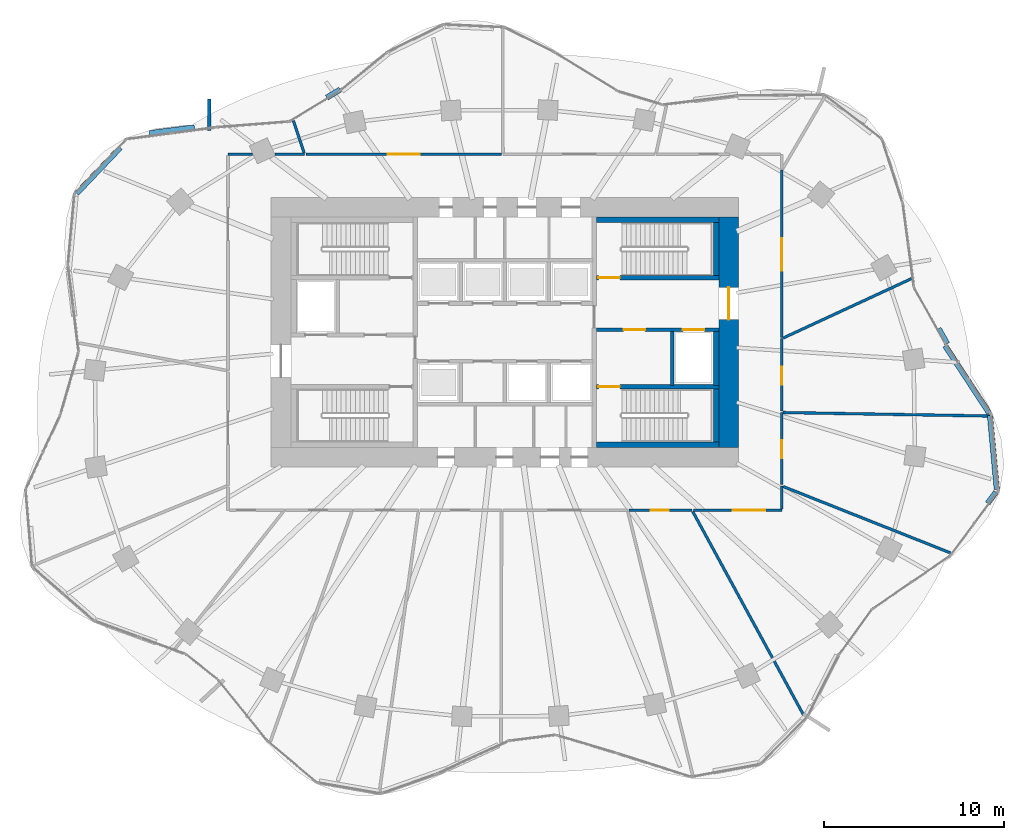
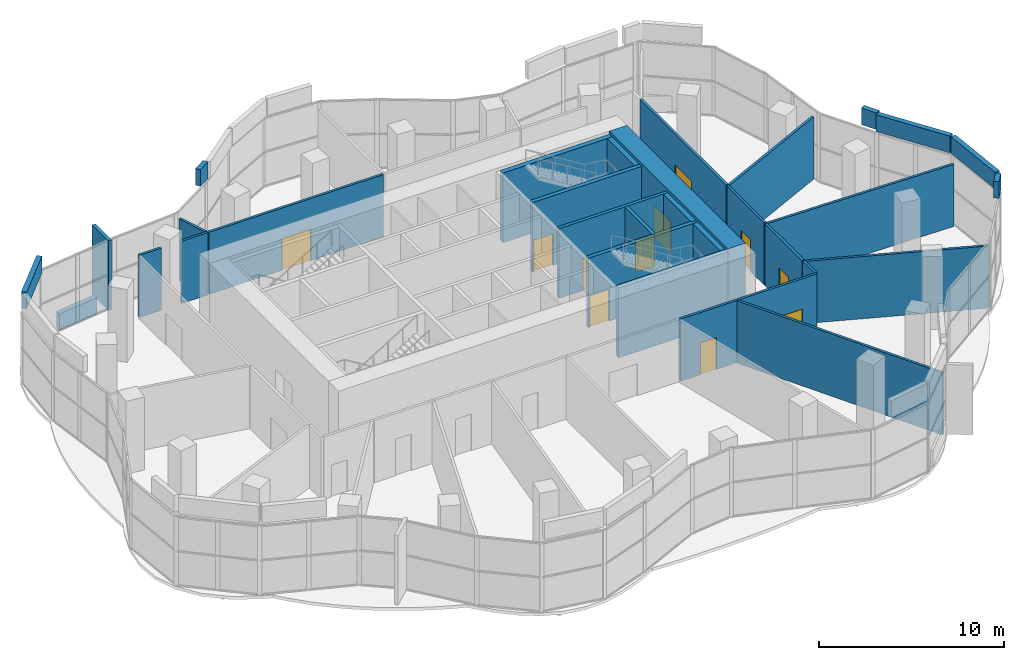
# One storey, part 13 of 16: 32 walls, 11 doors, 11 openings.
"""IFC4 building model written with IfcOpenShell, lengths in metres."""

from ifc_helpers import new_model, si_unit, direction, frame, frame_2d, origin, place, context, subcontext, project, spatial, rectangle, extrude, material, layer, layer_set, type_object, element, fill, save


model = new_model("IFC4")

# Units and contexts
model_context = context("Model", 3, precision=1e-05, world=origin(), true_north=direction((0.0, 1.0)))
body_context = subcontext(model_context, "Body", "Model", "MODEL_VIEW")
ifc_project = project(units=[si_unit("LENGTHUNIT", "METRE"), si_unit("AREAUNIT", "SQUARE_METRE"), si_unit("VOLUMEUNIT", "CUBIC_METRE"), si_unit("PLANEANGLEUNIT", "RADIAN"), si_unit("MASSUNIT", "GRAM", prefix="KILO")], contexts=[model_context])

# Site, building, storey
site_placement = place(None, origin())
site = spatial("IfcSite", under=ifc_project, at=site_placement, CompositionType="ELEMENT")
building_placement = place(site_placement, origin())
building = spatial("IfcBuilding", under=site, at=building_placement, Name="Rubra Terraces Tower", CompositionType="ELEMENT")
storey_placement = place(building_placement, frame((0.0, 0.0, 125.699951171875)))
storey = spatial("IfcBuildingStorey", under=building, at=storey_placement, Name="L30", CompositionType="ELEMENT", Elevation=125.699951171875)

# Walls
ifc_material_1 = material(Name="Brick masonry red-brown", Category="masonry")
ifc_layer_1 = layer(ifc_material_1, 0.300048828125)
ifc_layer_set_1 = layer_set([ifc_layer_1], Name="Brick masonry red-brown")
wall_type_1 = type_object("IfcWallType", Name="Brick edge guard 300", PredefinedType="PARAPET", material=ifc_layer_set_1)
wall_1_placement = place(storey_placement, frame((-19.76171875, 15.572021484375, 0.0), z_axis=(0.0, 0.0, 1.0), x_axis=(0.991935518955, 0.126743545144, 0.0)))
element("IfcWall", 1, at=wall_1_placement, inside=storey, type_object=wall_type_1, Name="Edge guard L30.1", PredefinedType="PARAPET", context=body_context, shape_type="SweptSolid", body=[
    extrude(rectangle(XDim=2.517578125, YDim=0.300048828125, at=frame_2d((1.2587890625, 0.0))), origin(), (0.0, 0.0, 1.0), 1.10009765625),
])
ifc_layer_2 = layer(ifc_material_1, 0.300048828125)
ifc_layer_set_2 = layer_set([ifc_layer_2], Name="Brick masonry red-brown")
wall_type_2 = type_object("IfcWallType", Name="Brick parapet 300", PredefinedType="PARAPET", material=ifc_layer_set_2)
wall_2_placement = place(storey_placement, frame((26.934326171875, 0.005615234375, 4.800048828125), z_axis=(0.0, 0.0, 1.0), x_axis=(-0.547070260179, 0.837086692301, 0.0)))
element("IfcWall", 2, at=wall_2_placement, inside=storey, type_object=wall_type_2, Name="Parapet L30 bay 1", PredefinedType="PARAPET", context=body_context, shape_type="SweptSolid", body=[
    extrude(rectangle(XDim=4.48095703125, YDim=0.300048828125, at=frame_2d((2.240478515625, 0.0))), origin(), (0.0, 0.0, 1.0), 1.10009765625),
])
wall_3_placement = place(storey_placement, frame((24.592041015625, 3.86376953125, 4.800048828125), z_axis=(0.0, 0.0, 1.0), x_axis=(-0.488379082049, 0.872631578742, 0.0)))
element("IfcWall", 3, at=wall_3_placement, inside=storey, type_object=wall_type_2, Name="Parapet L30 bay 2", PredefinedType="PARAPET", context=body_context, shape_type="SweptSolid", body=[
    extrude(rectangle(XDim=0.96142578125, YDim=0.300048828125, at=frame_2d((0.480712890625, 0.0))), origin(), (0.0, 0.0, 1.0), 1.10009765625),
])
wall_4_placement = place(storey_placement, frame((-9.164306640625, 17.9970703125, 4.800048828125), z_axis=(0.0, 0.0, 1.0), x_axis=(-0.854630396294, -0.519236830098, 0.0)))
element("IfcWall", 4, at=wall_4_placement, inside=storey, type_object=wall_type_2, Name="Parapet L30 bay 14", PredefinedType="PARAPET", context=body_context, shape_type="SweptSolid", body=[
    extrude(rectangle(XDim=0.86181640625, YDim=0.300048828125, at=frame_2d((0.430908203125, 0.0))), origin(), (0.0, 0.0, 1.0), 1.10009765625),
])
wall_5_placement = place(storey_placement, frame((-21.388427734375, 14.768798828125, 4.800048828125), z_axis=(0.0, 0.0, 1.0), x_axis=(-0.690144808601, -0.723671294969, 0.0)))
element("IfcWall", 5, at=wall_5_placement, inside=storey, type_object=wall_type_2, Name="Parapet L30 bay 17", PredefinedType="PARAPET", context=body_context, shape_type="SweptSolid", body=[
    extrude(rectangle(XDim=3.510009765625, YDim=0.300048828125, at=frame_2d((1.7548828125, 0.0))), origin(), (0.0, 0.0, 1.0), 1.10009765625),
])
wall_6_placement = place(storey_placement, frame((26.845458984375, -5.01318359375, 4.800048828125), z_axis=(0.0, 0.0, 1.0), x_axis=(0.597500991774, 0.801868171727, 0.0)))
element("IfcWall", 6, at=wall_6_placement, inside=storey, type_object=wall_type_2, Name="Parapet L30 bay 39", PredefinedType="PARAPET", context=body_context, shape_type="SweptSolid", body=[
    extrude(rectangle(XDim=0.782470703125, YDim=0.300048828125, at=frame_2d((0.39111328125, 0.0))), origin(), (0.0, 0.0, 1.0), 1.10009765625),
])
wall_7_placement = place(storey_placement, frame((27.357421875, -4.228515625, 4.800048828125), z_axis=(0.0, 0.0, 1.0), x_axis=(-0.092082019937, 0.99575142561, 0.0)))
element("IfcWall", 7, at=wall_7_placement, inside=storey, type_object=wall_type_2, Name="Parapet L30 bay 40", PredefinedType="PARAPET", context=body_context, shape_type="SweptSolid", body=[
    extrude(rectangle(XDim=4.128173828125, YDim=0.300048828125, at=frame_2d((2.06396484375, 0.0))), origin(), (0.0, 0.0, 1.0), 1.10009765625),
])
ifc_layer_3 = layer(ifc_material_1, 0.199951171875)
ifc_layer_set_3 = layer_set([ifc_layer_3], Name="Brick masonry red-brown")
wall_type_3 = type_object("IfcWallType", Name="Brick wind fin 200", PredefinedType="SOLIDWALL", material=ifc_layer_set_3)
wall_8_placement = place(storey_placement, frame((-16.43505859375, 15.7119140625, 0.0), z_axis=(0.0, 0.0, 1.0), x_axis=(0.000279017846, 0.999999961075, 0.0)))
element("IfcWall", 8, at=wall_8_placement, inside=storey, type_object=wall_type_3, Name="Wind fin L30 8", PredefinedType="SOLIDWALL", context=body_context, shape_type="SweptSolid", body=[
    extrude(rectangle(XDim=1.75, YDim=0.199951171875, at=frame_2d((0.875, 0.0))), origin(), (0.0, 0.0, 1.0), 4.60009765625),
])

# Wall, opening, door
ifc_material_2 = material(Name="Concrete C60", Category="concrete")
ifc_layer_4 = layer(ifc_material_2, 1.10009765625)
ifc_layer_set_4 = layer_set([ifc_layer_4], Name="Concrete C60")
wall_type_4 = type_object("IfcWallType", Name="CORE WALL 1100 C60", PredefinedType="SHEAR", material=ifc_layer_set_4)
wall_9_placement = place(storey_placement, frame((12.449951171875, -1.89990234375, 0.0), z_axis=(0.0, 0.0, 1.0), x_axis=(0.0, 1.0, 0.0)))
wall_9 = element("IfcWall", 9, at=wall_9_placement, inside=storey, type_object=wall_type_4, Name="CORE WALL E L30", PredefinedType="SHEAR", context=body_context, shape_type="SweptSolid", body=[
    extrude(rectangle(XDim=12.7998046875, YDim=1.10009765625, at=frame_2d((6.39990234375, 0.0))), origin(), (0.0, 0.0, 1.0), 4.800048828125),
])
opening_1_placement = place(wall_9_placement, frame((7.10009765625, 0.0, 0.0)))
opening_1 = element("IfcOpeningElement", 10, at=opening_1_placement, cuts=wall_9, Name="Opening L30.C02", PredefinedType="OPENING", context=body_context, shape_type="SweptSolid", body=[
    extrude(rectangle(XDim=1.800048828125, YDim=2.10009765625, at=frame_2d((0.89990234375, 1.050048828125))), frame((0.0, 0.56005859375, 0.0), z_axis=(0.0, -1.0, 0.0), x_axis=(1.0, 0.0, 0.0)), (0.0, 0.0, 1.0), 1.1201171875),
])
ifc_material_3 = material(Name="Painted steel", Category="steel")
door_type_1 = type_object("IfcDoorType", Name="Fire door 1800x2100 double", OperationType="NOTDEFINED", PredefinedType="DOOR", material=ifc_material_3)
door_1_placement = place(opening_1_placement, origin())
door_1 = element("IfcDoor", 11, at=door_1_placement, inside=storey, type_object=door_type_1, Name="Core entrance door FF2", OperationType="DOUBLE_DOOR_SINGLE_SWING", OverallHeight=2.10009765625, OverallWidth=1.800048828125, PredefinedType="DOOR", context=body_context, shape_type="SweptSolid", body=[
    extrude(rectangle(XDim=1.800048828125, YDim=2.10009765625, at=frame_2d((0.89990234375, 1.050048828125))), frame((0.0, 0.02490234375, 0.0), z_axis=(0.0, -1.0, 0.0), x_axis=(1.0, 0.0, 0.0)), (0.0, 0.0, 1.0), 0.050048828125),
])
fill(opening_1, door_1)

# Walls
ifc_material_4 = material(Name="Plasterboard on steel stud, mineral wool infill", Category="steel")
ifc_layer_5 = layer(ifc_material_4, 0.14990234375)
ifc_layer_set_5 = layer_set([ifc_layer_5], Name="Plasterboard on steel stud, mineral wool infill")
wall_type_5 = type_object("IfcWallType", Name="CORRIDOR PARTITION 150", PredefinedType="PARTITIONING", material=ifc_layer_set_5)
wall_10_placement = place(storey_placement, frame((-11.138916015625, 14.39990234375, 0.0), z_axis=(0.0, 0.0, 1.0), x_axis=(-1.0, 0.0, 0.0)))
element("IfcWall", 12, at=wall_10_placement, inside=storey, type_object=wall_type_5, Name="PARTITION", PredefinedType="PARTITIONING", context=body_context, shape_type="SweptSolid", body=[
    extrude(rectangle(XDim=1.632080078125, YDim=0.14990234375, at=frame_2d((0.81591796875, 0.0))), origin(), (0.0, 0.0, 1.0), 4.09814453125),
])
wall_11_placement = place(storey_placement, frame((-14.024169921875, 14.39990234375, 0.0), z_axis=(0.0, 0.0, 1.0), x_axis=(-1.0, 0.0, 0.0)))
element("IfcWall", 13, at=wall_11_placement, inside=storey, type_object=wall_type_5, Name="PARTITION", PredefinedType="PARTITIONING", context=body_context, shape_type="SweptSolid", body=[
    extrude(rectangle(XDim=1.375732421875, YDim=0.14990234375, at=frame_2d((0.68798828125, 0.0))), origin(), (0.0, 0.0, 1.0), 4.09814453125),
])

# Wall, opening, door
wall_12_placement = place(storey_placement, frame((6.89990234375, -5.39990234375, 0.0), z_axis=(0.0, 0.0, 1.0), x_axis=(1.0, 0.0, 0.0)))
wall_12 = element("IfcWall", 14, at=wall_12_placement, inside=storey, type_object=wall_type_5, Name="PARTITION", PredefinedType="PARTITIONING", context=body_context, shape_type="SweptSolid", body=[
    extrude(rectangle(XDim=3.51171875, YDim=0.14990234375, at=frame_2d((1.755859375, 0.0))), origin(), (0.0, 0.0, 1.0), 4.09814453125),
])
opening_2_placement = place(wall_12_placement, frame((1.218017578125, 0.0, 0.0)))
opening_2 = element("IfcOpeningElement", 15, at=opening_2_placement, cuts=wall_12, Name="Opening 30-108", PredefinedType="OPENING", context=body_context, shape_type="SweptSolid", body=[
    extrude(rectangle(XDim=1.0, YDim=2.10009765625, at=frame_2d((0.5, 1.050048828125))), frame((0.0, 0.0849609375, 0.0), z_axis=(0.0, -1.0, 0.0), x_axis=(1.0, 0.0, 0.0)), (0.0, 0.0, 1.0), 0.169921875),
])
ifc_material_5 = material(Name="Painted timber door leaf", Category="wood")
door_type_2 = type_object("IfcDoorType", Name="ROOM DOOR 1000 X 2100", OperationType="SINGLE_SWING_LEFT", PredefinedType="DOOR", material=ifc_material_5)
door_2_placement = place(opening_2_placement, origin())
door_2 = element("IfcDoor", 16, at=door_2_placement, inside=storey, type_object=door_type_2, Name="DOOR 30-108", OperationType="SINGLE_SWING_RIGHT", OverallHeight=2.10009765625, OverallWidth=1.0, PredefinedType="DOOR", context=body_context, shape_type="SweptSolid", body=[
    extrude(rectangle(XDim=1.0, YDim=2.10009765625, at=frame_2d((0.5, 1.050048828125))), frame((0.0, 0.02490234375, 0.0), z_axis=(0.0, -1.0, 0.0), x_axis=(1.0, 0.0, 0.0)), (0.0, 0.0, 1.0), 0.050048828125),
])
fill(opening_2, door_2)

wall_13_placement = place(storey_placement, frame((10.486572265625, -5.39990234375, 0.0), z_axis=(0.0, 0.0, 1.0), x_axis=(1.0, 0.0, 0.0)))
wall_13 = element("IfcWall", 17, at=wall_13_placement, inside=storey, type_object=wall_type_5, Name="PARTITION", PredefinedType="PARTITIONING", context=body_context, shape_type="SweptSolid", body=[
    extrude(rectangle(XDim=4.913330078125, YDim=0.14990234375, at=frame_2d((2.45654296875, 0.0))), origin(), (0.0, 0.0, 1.0), 4.09814453125),
])
opening_3_placement = place(wall_13_placement, frame((2.197021484375, 0.0, 0.0)))
opening_3 = element("IfcOpeningElement", 18, at=opening_3_placement, cuts=wall_13, Name="Opening 30-109", PredefinedType="OPENING", context=body_context, shape_type="SweptSolid", body=[
    extrude(rectangle(XDim=1.800048828125, YDim=2.10009765625, at=frame_2d((0.89990234375, 1.050048828125))), frame((0.0, 0.0849609375, 0.0), z_axis=(0.0, -1.0, 0.0), x_axis=(1.0, 0.0, 0.0)), (0.0, 0.0, 1.0), 0.169921875),
])
ifc_material_6 = material(Name="Painted timber door leaf, double", Category="wood")
door_type_3 = type_object("IfcDoorType", Name="ROOM DOUBLE DOOR 1800 X 2100", OperationType="DOUBLE_DOOR_SINGLE_SWING", PredefinedType="DOOR", material=ifc_material_6)
door_3_placement = place(opening_3_placement, origin())
door_3 = element("IfcDoor", 19, at=door_3_placement, inside=storey, type_object=door_type_3, Name="DOOR 30-109", OperationType="DOUBLE_DOOR_SINGLE_SWING", OverallHeight=2.10009765625, OverallWidth=1.800048828125, PredefinedType="DOOR", context=body_context, shape_type="SweptSolid", body=[
    extrude(rectangle(XDim=1.800048828125, YDim=2.10009765625, at=frame_2d((0.89990234375, 1.050048828125))), frame((0.0, 0.02490234375, 0.0), z_axis=(0.0, -1.0, 0.0), x_axis=(1.0, 0.0, 0.0)), (0.0, 0.0, 1.0), 0.050048828125),
])
fill(opening_3, door_3)

# Wall
wall_14_placement = place(storey_placement, frame((15.39990234375, -5.324951171875, 0.0), z_axis=(0.0, 0.0, 1.0), x_axis=(0.0, 1.0, 0.0)))
element("IfcWall", 20, at=wall_14_placement, inside=storey, type_object=wall_type_5, Name="PARTITION", PredefinedType="PARTITIONING", context=body_context, shape_type="SweptSolid", body=[
    extrude(rectangle(XDim=1.27978515625, YDim=0.14990234375, at=frame_2d((0.639892578125, 0.0))), origin(), (0.0, 0.0, 1.0), 4.09814453125),
])

# Wall, opening, door
wall_15_placement = place(storey_placement, frame((15.39990234375, -3.97021484375, 0.0), z_axis=(0.0, 0.0, 1.0), x_axis=(0.0, 1.0, 0.0)))
wall_15 = element("IfcWall", 21, at=wall_15_placement, inside=storey, type_object=wall_type_5, Name="PARTITION", PredefinedType="PARTITIONING", context=body_context, shape_type="SweptSolid", body=[
    extrude(rectangle(XDim=4.00830078125, YDim=0.14990234375, at=frame_2d((2.004150390625, 0.0))), origin(), (0.0, 0.0, 1.0), 4.09814453125),
])
opening_4_placement = place(wall_15_placement, frame((1.467041015625, 0.0, 0.0)))
opening_4 = element("IfcOpeningElement", 22, at=opening_4_placement, cuts=wall_15, Name="Opening 30-110", PredefinedType="OPENING", context=body_context, shape_type="SweptSolid", body=[
    extrude(rectangle(XDim=1.0, YDim=2.10009765625, at=frame_2d((0.5, 1.050048828125))), frame((0.0, 0.0849609375, 0.0), z_axis=(0.0, -1.0, 0.0), x_axis=(1.0, 0.0, 0.0)), (0.0, 0.0, 1.0), 0.169921875),
])
door_4_placement = place(opening_4_placement, origin())
door_4 = element("IfcDoor", 23, at=door_4_placement, inside=storey, type_object=door_type_2, Name="DOOR 30-110", OperationType="SINGLE_SWING_RIGHT", OverallHeight=2.10009765625, OverallWidth=1.0, PredefinedType="DOOR", context=body_context, shape_type="SweptSolid", body=[
    extrude(rectangle(XDim=1.0, YDim=2.10009765625, at=frame_2d((0.5, 1.050048828125))), frame((0.0, 0.02490234375, 0.0), z_axis=(0.0, -1.0, 0.0), x_axis=(1.0, 0.0, 0.0)), (0.0, 0.0, 1.0), 0.050048828125),
])
fill(opening_4, door_4)

wall_16_placement = place(storey_placement, frame((15.39990234375, 0.113037109375, 0.0), z_axis=(0.0, 0.0, 1.0), x_axis=(0.0, 1.0, 0.0)))
wall_16 = element("IfcWall", 24, at=wall_16_placement, inside=storey, type_object=wall_type_5, Name="PARTITION", PredefinedType="PARTITIONING", context=body_context, shape_type="SweptSolid", body=[
    extrude(rectangle(XDim=4.032470703125, YDim=0.14990234375, at=frame_2d((2.01611328125, 0.0))), origin(), (0.0, 0.0, 1.0), 4.09814453125),
])
opening_5_placement = place(wall_16_placement, frame((1.47900390625, 0.0, 0.0)))
opening_5 = element("IfcOpeningElement", 25, at=opening_5_placement, cuts=wall_16, Name="Opening 30-111", PredefinedType="OPENING", context=body_context, shape_type="SweptSolid", body=[
    extrude(rectangle(XDim=1.0, YDim=2.10009765625, at=frame_2d((0.5, 1.050048828125))), frame((0.0, 0.0849609375, 0.0), z_axis=(0.0, -1.0, 0.0), x_axis=(1.0, 0.0, 0.0)), (0.0, 0.0, 1.0), 0.169921875),
])
door_5_placement = place(opening_5_placement, origin())
door_5 = element("IfcDoor", 26, at=door_5_placement, inside=storey, type_object=door_type_2, Name="DOOR 30-111", OperationType="SINGLE_SWING_RIGHT", OverallHeight=2.10009765625, OverallWidth=1.0, PredefinedType="DOOR", context=body_context, shape_type="SweptSolid", body=[
    extrude(rectangle(XDim=1.0, YDim=2.10009765625, at=frame_2d((0.5, 1.050048828125))), frame((0.0, 0.02490234375, 0.0), z_axis=(0.0, -1.0, 0.0), x_axis=(1.0, 0.0, 0.0)), (0.0, 0.0, 1.0), 0.050048828125),
])
fill(opening_5, door_5)

wall_17_placement = place(storey_placement, frame((15.39990234375, 4.220703125, 0.0), z_axis=(0.0, 0.0, 1.0), x_axis=(0.0, 1.0, 0.0)))
wall_17 = element("IfcWall", 27, at=wall_17_placement, inside=storey, type_object=wall_type_5, Name="PARTITION", PredefinedType="PARTITIONING", context=body_context, shape_type="SweptSolid", body=[
    extrude(rectangle(XDim=9.297119140625, YDim=0.14990234375, at=frame_2d((4.6484375, 0.0))), origin(), (0.0, 0.0, 1.0), 4.09814453125),
])
opening_6_placement = place(wall_17_placement, frame((3.7109375, 0.0, 0.0)))
opening_6 = element("IfcOpeningElement", 28, at=opening_6_placement, cuts=wall_17, Name="Opening 30-112", PredefinedType="OPENING", context=body_context, shape_type="SweptSolid", body=[
    extrude(rectangle(XDim=1.800048828125, YDim=2.10009765625, at=frame_2d((0.89990234375, 1.050048828125))), frame((0.0, 0.0849609375, 0.0), z_axis=(0.0, -1.0, 0.0), x_axis=(1.0, 0.0, 0.0)), (0.0, 0.0, 1.0), 0.169921875),
])
door_6_placement = place(opening_6_placement, origin())
door_6 = element("IfcDoor", 29, at=door_6_placement, inside=storey, type_object=door_type_3, Name="DOOR 30-112", OperationType="DOUBLE_DOOR_SINGLE_SWING", OverallHeight=2.10009765625, OverallWidth=1.800048828125, PredefinedType="DOOR", context=body_context, shape_type="SweptSolid", body=[
    extrude(rectangle(XDim=1.800048828125, YDim=2.10009765625, at=frame_2d((0.89990234375, 1.050048828125))), frame((0.0, 0.02490234375, 0.0), z_axis=(0.0, -1.0, 0.0), x_axis=(1.0, 0.0, 0.0)), (0.0, 0.0, 1.0), 0.050048828125),
])
fill(opening_6, door_6)

wall_18_placement = place(storey_placement, frame((-0.1845703125, 14.39990234375, 0.0), z_axis=(0.0, 0.0, 1.0), x_axis=(-1.0, 0.0, 0.0)))
wall_18 = element("IfcWall", 30, at=wall_18_placement, inside=storey, type_object=wall_type_5, Name="PARTITION", PredefinedType="PARTITIONING", context=body_context, shape_type="SweptSolid", body=[
    extrude(rectangle(XDim=10.87939453125, YDim=0.14990234375, at=frame_2d((5.439697265625, 0.0))), origin(), (0.0, 0.0, 1.0), 4.09814453125),
])
opening_7_placement = place(wall_18_placement, frame((4.5400390625, 0.0, 0.0)))
opening_7 = element("IfcOpeningElement", 31, at=opening_7_placement, cuts=wall_18, Name="Opening 30-115", PredefinedType="OPENING", context=body_context, shape_type="SweptSolid", body=[
    extrude(rectangle(XDim=1.800048828125, YDim=2.10009765625, at=frame_2d((0.89990234375, 1.050048828125))), frame((0.0, 0.0849609375, 0.0), z_axis=(0.0, -1.0, 0.0), x_axis=(1.0, 0.0, 0.0)), (0.0, 0.0, 1.0), 0.169921875),
])
door_7_placement = place(opening_7_placement, origin())
door_7 = element("IfcDoor", 32, at=door_7_placement, inside=storey, type_object=door_type_3, Name="DOOR 30-115", OperationType="DOUBLE_DOOR_SINGLE_SWING", OverallHeight=2.10009765625, OverallWidth=1.800048828125, PredefinedType="DOOR", context=body_context, shape_type="SweptSolid", body=[
    extrude(rectangle(XDim=1.800048828125, YDim=2.10009765625, at=frame_2d((0.89990234375, 1.050048828125))), frame((0.0, 0.02490234375, 0.0), z_axis=(0.0, -1.0, 0.0), x_axis=(1.0, 0.0, 0.0)), (0.0, 0.0, 1.0), 0.050048828125),
])
fill(opening_7, door_7)

# Walls
ifc_material_7 = material(Name="Concrete C40", Category="concrete")
ifc_layer_6 = layer(ifc_material_7, 0.300048828125)
ifc_layer_set_6 = layer_set([ifc_layer_6], Name="Concrete C40")
wall_type_6 = type_object("IfcWallType", Name="Core lining wall 300 concrete", PredefinedType="SOLIDWALL", material=ifc_layer_set_6)
wall_19_placement = place(storey_placement, frame((11.89990234375, 10.75, 0.0), z_axis=(0.0, 0.0, 1.0), x_axis=(-1.0, 0.0, 0.0)))
element("IfcWall", 33, at=wall_19_placement, inside=storey, type_object=wall_type_6, Name="CORE LINING WALL L30", PredefinedType="SOLIDWALL", context=body_context, shape_type="SweptSolid", body=[
    extrude(rectangle(XDim=6.7998046875, YDim=0.300048828125, at=frame_2d((3.39990234375, 0.0))), origin(), (0.0, 0.0, 1.0), 4.60009765625),
])
wall_20_placement = place(storey_placement, frame((11.75, 10.60009765625, 0.0), z_axis=(0.0, 0.0, 1.0), x_axis=(0.0, -1.0, 0.0)))
element("IfcWall", 34, at=wall_20_placement, inside=storey, type_object=wall_type_6, Name="CORE LINING WALL L30", PredefinedType="SOLIDWALL", context=body_context, shape_type="SweptSolid", body=[
    extrude(rectangle(XDim=2.9501953125, YDim=0.300048828125, at=frame_2d((1.47509765625, 0.0))), origin(), (0.0, 0.0, 1.0), 4.60009765625),
])
wall_21_placement = place(storey_placement, frame((11.75, 4.550048828125, 0.0), z_axis=(0.0, 0.0, 1.0), x_axis=(0.0, -1.0, 0.0)))
element("IfcWall", 35, at=wall_21_placement, inside=storey, type_object=wall_type_6, Name="CORE LINING WALL L30", PredefinedType="SOLIDWALL", context=body_context, shape_type="SweptSolid", body=[
    extrude(rectangle(XDim=3.0, YDim=0.300048828125, at=frame_2d((1.5, 0.0))), origin(), (0.0, 0.0, 1.0), 4.60009765625),
])
wall_22_placement = place(storey_placement, frame((11.75, 1.35009765625, 0.0), z_axis=(0.0, 0.0, 1.0), x_axis=(0.0, -1.0, 0.0)))
element("IfcWall", 36, at=wall_22_placement, inside=storey, type_object=wall_type_6, Name="CORE LINING WALL L30", PredefinedType="SOLIDWALL", context=body_context, shape_type="SweptSolid", body=[
    extrude(rectangle(XDim=2.9501953125, YDim=0.300048828125, at=frame_2d((1.47509765625, 0.0))), origin(), (0.0, 0.0, 1.0), 4.60009765625),
])
wall_23_placement = place(storey_placement, frame((11.89990234375, -1.75, 0.0), z_axis=(0.0, 0.0, 1.0), x_axis=(-1.0, 0.0, 0.0)))
element("IfcWall", 37, at=wall_23_placement, inside=storey, type_object=wall_type_6, Name="CORE LINING WALL L30", PredefinedType="SOLIDWALL", context=body_context, shape_type="SweptSolid", body=[
    extrude(rectangle(XDim=6.7998046875, YDim=0.300048828125, at=frame_2d((3.39990234375, 0.0))), origin(), (0.0, 0.0, 1.0), 4.60009765625),
])

# Wall, openings, doors
ifc_material_8 = material(Name="Concrete C30", Category="concrete")
ifc_layer_7 = layer(ifc_material_8, 0.199951171875)
ifc_layer_set_7 = layer_set([ifc_layer_7], Name="Concrete C30")
wall_type_7 = type_object("IfcWallType", Name="Core wall 200 concrete", PredefinedType="SOLIDWALL", material=ifc_layer_set_7)
wall_24_placement = place(storey_placement, frame((11.89990234375, 4.64990234375, 0.0), z_axis=(0.0, 0.0, 1.0), x_axis=(-1.0, 0.0, 0.0)))
wall_24 = element("IfcWall", 38, at=wall_24_placement, inside=storey, type_object=wall_type_7, Name="STAIR WALL L30", PredefinedType="SOLIDWALL", context=body_context, shape_type="SweptSolid", body=[
    extrude(rectangle(XDim=6.7998046875, YDim=0.199951171875, at=frame_2d((3.39990234375, 0.0))), origin(), (0.0, 0.0, 1.0), 4.60009765625),
])
opening_8_placement = place(wall_24_placement, frame((4.10009765625, 0.0, 0.0)))
opening_8 = element("IfcOpeningElement", 39, at=opening_8_placement, cuts=wall_24, Name="Opening L30.C06", PredefinedType="OPENING", context=body_context, shape_type="SweptSolid", body=[
    extrude(rectangle(XDim=1.199951171875, YDim=2.10009765625, at=frame_2d((0.60009765625, 1.050048828125))), frame((0.0, 0.10986328125, 0.0), z_axis=(0.0, -1.0, 0.0), x_axis=(1.0, 0.0, 0.0)), (0.0, 0.0, 1.0), 0.219970703125),
])
opening_9_placement = place(wall_24_placement, frame((0.800048828125, 0.0, 0.0)))
opening_9 = element("IfcOpeningElement", 40, at=opening_9_placement, cuts=wall_24, Name="Opening L30.C12", PredefinedType="OPENING", context=body_context, shape_type="SweptSolid", body=[
    extrude(rectangle(XDim=1.199951171875, YDim=2.10009765625, at=frame_2d((0.60009765625, 1.050048828125))), frame((0.0, 0.10986328125, 0.0), z_axis=(0.0, -1.0, 0.0), x_axis=(1.0, 0.0, 0.0)), (0.0, 0.0, 1.0), 0.219970703125),
])
door_type_4 = type_object("IfcDoorType", Name="Fire door 1200x2100 single", OperationType="NOTDEFINED", PredefinedType="DOOR", material=ifc_material_3)
door_8_placement = place(opening_8_placement, origin())
door_8 = element("IfcDoor", 41, at=door_8_placement, inside=storey, type_object=door_type_4, Name="Stair vestibule door S4", OperationType="SINGLE_SWING_RIGHT", OverallHeight=2.10009765625, OverallWidth=1.199951171875, PredefinedType="DOOR", context=body_context, shape_type="SweptSolid", body=[
    extrude(rectangle(XDim=1.199951171875, YDim=2.10009765625, at=frame_2d((0.60009765625, 1.050048828125))), frame((0.0, 0.02490234375, 0.0), z_axis=(0.0, -1.0, 0.0), x_axis=(1.0, 0.0, 0.0)), (0.0, 0.0, 1.0), 0.050048828125),
])
fill(opening_8, door_8)
ifc_material_9 = material(Name="Stainless steel", Category="steel")
door_type_5 = type_object("IfcDoorType", Name="Lift landing door 1200x2100", OperationType="NOTDEFINED", PredefinedType="DOOR", material=ifc_material_9)
door_9_placement = place(opening_9_placement, origin())
door_9 = element("IfcDoor", 42, at=door_9_placement, inside=storey, type_object=door_type_5, Name="Landing door FF2", OperationType="SLIDING_TO_RIGHT", OverallHeight=2.10009765625, OverallWidth=1.199951171875, PredefinedType="DOOR", context=body_context, shape_type="SweptSolid", body=[
    extrude(rectangle(XDim=1.199951171875, YDim=2.10009765625, at=frame_2d((0.60009765625, 1.050048828125))), frame((0.0, 0.02490234375, 0.0), z_axis=(0.0, -1.0, 0.0), x_axis=(1.0, 0.0, 0.0)), (0.0, 0.0, 1.0), 0.050048828125),
])
fill(opening_9, door_9)

# Walls
wall_25_placement = place(storey_placement, frame((9.300048828125, 4.550048828125, 0.0), z_axis=(0.0, 0.0, 1.0), x_axis=(0.0, -1.0, 0.0)))
element("IfcWall", 43, at=wall_25_placement, inside=storey, type_object=wall_type_7, Name="STAIR WALL L30", PredefinedType="SOLIDWALL", context=body_context, shape_type="SweptSolid", body=[
    extrude(rectangle(XDim=3.0, YDim=0.199951171875, at=frame_2d((1.5, 0.0))), origin(), (0.0, 0.0, 1.0), 4.60009765625),
])
ifc_material_10 = material(Name="Plasterboard on steel stud", Category="steel")
ifc_layer_8 = layer(ifc_material_10, 0.14990234375)
ifc_layer_set_8 = layer_set([ifc_layer_8], Name="Plasterboard on steel stud")
wall_type_8 = type_object("IfcWallType", Name="ROOM PARTITION 150", PredefinedType="PARTITIONING", material=ifc_layer_set_8)
wall_26_placement = place(storey_placement, frame((-11.761474609375, 16.259521484375, 0.0), z_axis=(0.0, 0.0, 1.0), x_axis=(0.317547878941, -0.948242239399, 0.0)))
element("IfcWall", 44, at=wall_26_placement, inside=storey, type_object=wall_type_8, Name="PARTITION", PredefinedType="PARTITIONING", context=body_context, shape_type="SweptSolid", body=[
    extrude(rectangle(XDim=1.885986328125, YDim=0.14990234375, at=frame_2d((0.94287109375, 0.0))), origin(), (0.0, 0.0, 1.0), 4.09814453125),
])
wall_27_placement = place(storey_placement, frame((16.671142578125, -16.894775390625, 0.0), z_axis=(0.0, 0.0, 1.0), x_axis=(-0.478239493839, 0.878229461207, 0.0)))
element("IfcWall", 45, at=wall_27_placement, inside=storey, type_object=wall_type_8, Name="PARTITION", PredefinedType="PARTITIONING", context=body_context, shape_type="SweptSolid", body=[
    extrude(rectangle(XDim=13.013671875, YDim=0.14990234375, at=frame_2d((6.5068359375, 0.0))), origin(), (0.0, 0.0, 1.0), 4.09814453125),
])
wall_28_placement = place(storey_placement, frame((24.78076171875, -7.767822265625, 0.0), z_axis=(0.0, 0.0, 1.0), x_axis=(-0.929491772193, 0.368842846515, 0.0)))
element("IfcWall", 46, at=wall_28_placement, inside=storey, type_object=wall_type_8, Name="PARTITION", PredefinedType="PARTITIONING", context=body_context, shape_type="SweptSolid", body=[
    extrude(rectangle(XDim=10.017333984375, YDim=0.14990234375, at=frame_2d((5.0087890625, 0.0))), origin(), (0.0, 0.0, 1.0), 4.09814453125),
])
wall_29_placement = place(storey_placement, frame((26.970947265625, -0.1572265625, 0.0), z_axis=(0.0, 0.0, 1.0), x_axis=(-0.999857501799, 0.016881235032, 0.0)))
element("IfcWall", 47, at=wall_29_placement, inside=storey, type_object=wall_type_8, Name="PARTITION", PredefinedType="PARTITIONING", context=body_context, shape_type="SweptSolid", body=[
    extrude(rectangle(XDim=11.49755859375, YDim=0.14990234375, at=frame_2d((5.748779296875, 0.0))), origin(), (0.0, 0.0, 1.0), 4.09814453125),
])
wall_30_placement = place(storey_placement, frame((22.601318359375, 7.478271484375, 0.0), z_axis=(0.0, 0.0, 1.0), x_axis=(-0.907524353019, -0.419999462712, 0.0)))
element("IfcWall", 48, at=wall_30_placement, inside=storey, type_object=wall_type_8, Name="PARTITION", PredefinedType="PARTITIONING", context=body_context, shape_type="SweptSolid", body=[
    extrude(rectangle(XDim=7.860107421875, YDim=0.14990234375, at=frame_2d((3.93017578125, 0.0))), origin(), (0.0, 0.0, 1.0), 4.09814453125),
])

# Wall, opening, door
ifc_layer_9 = layer(ifc_material_7, 0.25)
ifc_layer_set_9 = layer_set([ifc_layer_9], Name="Concrete C40")
wall_type_9 = type_object("IfcWallType", Name="Stair enclosure wall 250 concrete", PredefinedType="SOLIDWALL", material=ifc_layer_set_9)
wall_31_placement = place(storey_placement, frame((11.89990234375, 7.52490234375, 0.0), z_axis=(0.0, 0.0, 1.0), x_axis=(-1.0, 0.0, 0.0)))
wall_31 = element("IfcWall", 49, at=wall_31_placement, inside=storey, type_object=wall_type_9, Name="STAIR WALL L30", PredefinedType="SOLIDWALL", context=body_context, shape_type="SweptSolid", body=[
    extrude(rectangle(XDim=6.7998046875, YDim=0.25, at=frame_2d((3.39990234375, 0.0))), origin(), (0.0, 0.0, 1.0), 4.60009765625),
])
opening_10_placement = place(wall_31_placement, frame((5.5, 0.0, 0.0)))
opening_10 = element("IfcOpeningElement", 50, at=opening_10_placement, cuts=wall_31, Name="Opening L30.C08", PredefinedType="OPENING", context=body_context, shape_type="SweptSolid", body=[
    extrude(rectangle(XDim=1.199951171875, YDim=2.10009765625, at=frame_2d((0.60009765625, 1.050048828125))), frame((0.0, 0.135009765625, 0.0), z_axis=(0.0, -1.0, 0.0), x_axis=(1.0, 0.0, 0.0)), (0.0, 0.0, 1.0), 0.27001953125),
])
door_10_placement = place(opening_10_placement, origin())
door_10 = element("IfcDoor", 51, at=door_10_placement, inside=storey, type_object=door_type_4, Name="Stair door S3", OperationType="SINGLE_SWING_RIGHT", OverallHeight=2.10009765625, OverallWidth=1.199951171875, PredefinedType="DOOR", context=body_context, shape_type="SweptSolid", body=[
    extrude(rectangle(XDim=1.199951171875, YDim=2.10009765625, at=frame_2d((0.60009765625, 1.050048828125))), frame((0.0, 0.02490234375, 0.0), z_axis=(0.0, -1.0, 0.0), x_axis=(1.0, 0.0, 0.0)), (0.0, 0.0, 1.0), 0.050048828125),
])
fill(opening_10, door_10)

wall_32_placement = place(storey_placement, frame((11.89990234375, 1.47509765625, 0.0), z_axis=(0.0, 0.0, 1.0), x_axis=(-1.0, 0.0, 0.0)))
wall_32 = element("IfcWall", 52, at=wall_32_placement, inside=storey, type_object=wall_type_9, Name="STAIR WALL L30", PredefinedType="SOLIDWALL", context=body_context, shape_type="SweptSolid", body=[
    extrude(rectangle(XDim=6.7998046875, YDim=0.25, at=frame_2d((3.39990234375, 0.0))), origin(), (0.0, 0.0, 1.0), 4.60009765625),
])
opening_11_placement = place(wall_32_placement, frame((5.5, 0.0, 0.0)))
opening_11 = element("IfcOpeningElement", 53, at=opening_11_placement, cuts=wall_32, Name="Opening L30.C10", PredefinedType="OPENING", context=body_context, shape_type="SweptSolid", body=[
    extrude(rectangle(XDim=1.199951171875, YDim=2.10009765625, at=frame_2d((0.60009765625, 1.050048828125))), frame((0.0, 0.135009765625, 0.0), z_axis=(0.0, -1.0, 0.0), x_axis=(1.0, 0.0, 0.0)), (0.0, 0.0, 1.0), 0.27001953125),
])
door_11_placement = place(opening_11_placement, origin())
door_11 = element("IfcDoor", 54, at=door_11_placement, inside=storey, type_object=door_type_4, Name="Stair door S4", OperationType="SINGLE_SWING_RIGHT", OverallHeight=2.10009765625, OverallWidth=1.199951171875, PredefinedType="DOOR", context=body_context, shape_type="SweptSolid", body=[
    extrude(rectangle(XDim=1.199951171875, YDim=2.10009765625, at=frame_2d((0.60009765625, 1.050048828125))), frame((0.0, 0.02490234375, 0.0), z_axis=(0.0, -1.0, 0.0), x_axis=(1.0, 0.0, 0.0)), (0.0, 0.0, 1.0), 0.050048828125),
])
fill(opening_11, door_11)

save(model, "model.ifc")
